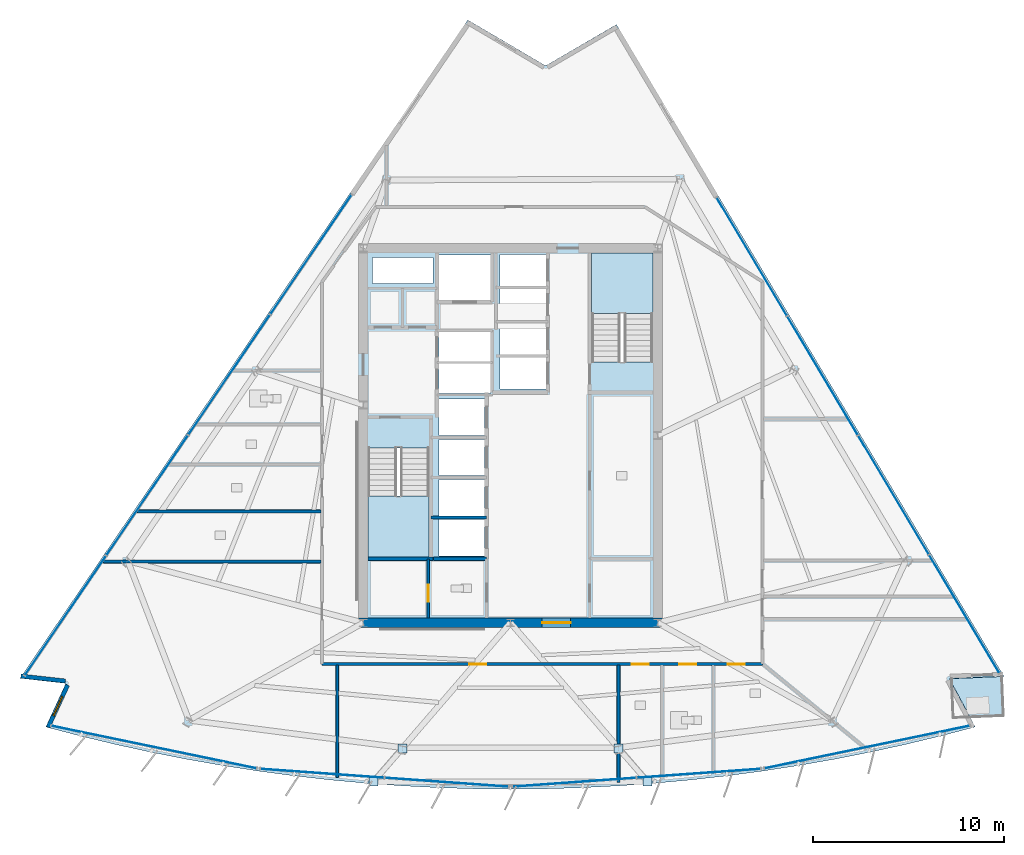
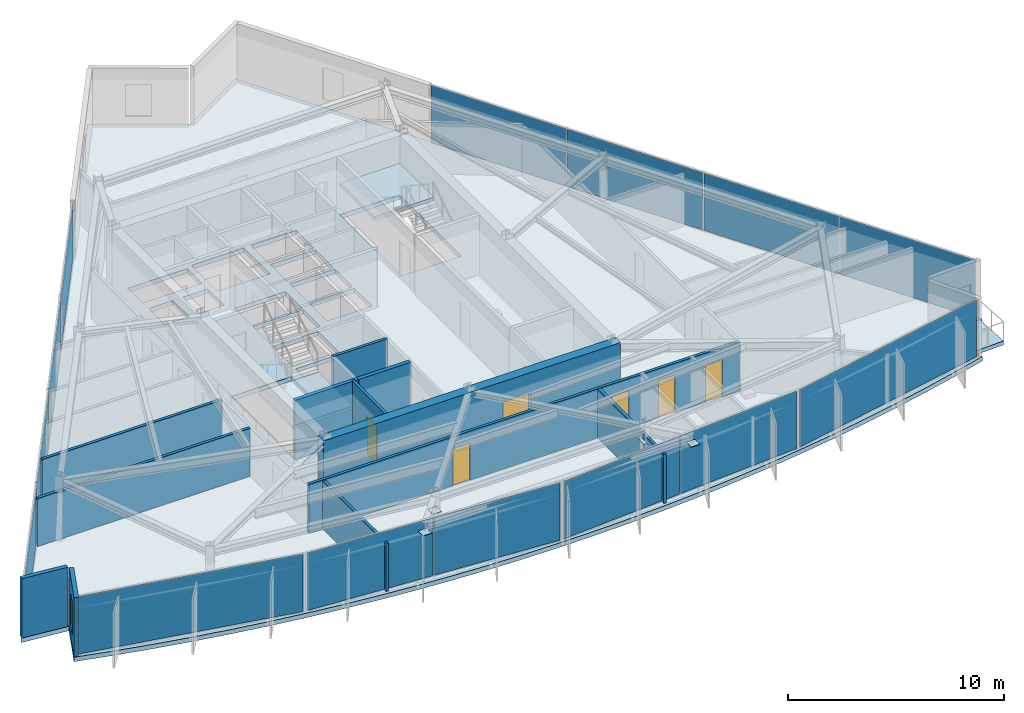
# One storey, part 7 of 15: 18 plates, 12 walls, 6 doors, 4 slabs, 1 window, 7 openings, 8 elements without a shape of their own.
"""IFC4 building model written with IfcOpenShell, lengths in metres."""

from ifc_helpers import new_model, si_unit, direction, frame, frame_2d, origin, origin_2d, place, context, subcontext, project, spatial, polyline, rectangle, outline, extrude, material, layer, layer_set, type_object, element, fill, aggregate, save


model = new_model("IFC4")

# Units and contexts
model_context = context("Model", 3, precision=1e-05, world=origin(), true_north=direction((0.0, 1.0)))
body_context = subcontext(model_context, "Body", "Model", "MODEL_VIEW")
ifc_project = project(units=[si_unit("LENGTHUNIT", "METRE"), si_unit("AREAUNIT", "SQUARE_METRE"), si_unit("VOLUMEUNIT", "CUBIC_METRE"), si_unit("PLANEANGLEUNIT", "RADIAN"), si_unit("MASSUNIT", "GRAM", prefix="KILO")], contexts=[model_context])

# Site, building, storey
site_placement = place(None, origin())
site = spatial("IfcSite", under=ifc_project, at=site_placement, CompositionType="ELEMENT")
building_placement = place(site_placement, origin())
building = spatial("IfcBuilding", under=site, at=building_placement, Name="Savorim Split Tower", CompositionType="ELEMENT")
storey_placement = place(building_placement, frame((0.0, 0.0, 201.89990234375)))
storey = spatial("IfcBuildingStorey", under=building, at=storey_placement, Name="L53", CompositionType="ELEMENT", Elevation=201.89990234375)

# Curtain wall, plate
ifc_material_1 = material(Name="Dark Ceramic-Fritted Insulated Glass", Category="glass")
curtain_wall_type = type_object("IfcCurtainWallType", Name="CW-TWR-FRIT-B", PredefinedType="NOTDEFINED", material=ifc_material_1)
curtain_wall_1_placement = place(storey_placement, origin())
curtain_wall_1 = element("IfcCurtainWall", 1, at=curtain_wall_1_placement, inside=storey, type_object=curtain_wall_type, Name="L53 Curtain Wall CW-L53-SF1", PredefinedType="NOTDEFINED")
ifc_layer_1 = layer(ifc_material_1, 0.02587890625)
ifc_layer_set_1 = layer_set([ifc_layer_1], Name="CWP-FRITB-26")
plate_type_1 = type_object("IfcPlateType", Name="CWP-FRITB-26", PredefinedType="CURTAIN_PANEL", material=ifc_layer_set_1)
plate_1_placement = place(storey_placement, frame((-18.65283203125, -15.901123046875, 0.050048828125), z_axis=(0.0, 0.0, 1.0), x_axis=(0.979135601511, -0.203207957161, 0.0)))
plate_1 = element("IfcPlate", 2, at=plate_1_placement, type_object=plate_type_1, Name="CW-03 panel 1.1", PredefinedType="CURTAIN_PANEL", context=body_context, shape_type="SweptSolid", body=[
    extrude(rectangle(XDim=10.946533203125, YDim=0.02587890625, at=origin_2d()), origin(), (0.0, 0.0, 1.0), 3.25),
])
aggregate(curtain_wall_1, [plate_1])

# Curtain wall, plates
curtain_wall_2_placement = place(storey_placement, origin())
curtain_wall_2 = element("IfcCurtainWall", 3, at=curtain_wall_2_placement, inside=storey, type_object=curtain_wall_type, Name="L53 Curtain Wall CW-L53-SF2", PredefinedType="NOTDEFINED")
plate_2_placement = place(storey_placement, frame((-9.846923828125, -17.275634765625, 0.050048828125), z_axis=(0.0, 0.0, 1.0), x_axis=(0.997436161804, -0.071561883187, 0.0)))
plate_2 = element("IfcPlate", 4, at=plate_2_placement, type_object=plate_type_1, Name="CW-03 panel 1.1", PredefinedType="CURTAIN_PANEL", context=body_context, shape_type="SweptSolid", body=[
    extrude(rectangle(XDim=6.46728515625, YDim=0.02587890625, at=origin_2d()), origin(), (0.0, 0.0, 1.0), 3.25),
])
plate_3_placement = place(storey_placement, frame((-3.33642578125, -17.74267578125, 0.050048828125), z_axis=(0.0, 0.0, 1.0), x_axis=(0.997436161804, -0.071561883187, 0.0)))
plate_3 = element("IfcPlate", 5, at=plate_3_placement, type_object=plate_type_1, Name="CW-03 panel 2.1", PredefinedType="CURTAIN_PANEL", context=body_context, shape_type="SweptSolid", body=[
    extrude(rectangle(XDim=6.46728515625, YDim=0.02587890625, at=origin_2d()), origin(), (0.0, 0.0, 1.0), 3.25),
])
aggregate(curtain_wall_2, [plate_2, plate_3])

curtain_wall_3_placement = place(storey_placement, origin())
curtain_wall_3 = element("IfcCurtainWall", 6, at=curtain_wall_3_placement, inside=storey, type_object=curtain_wall_type, Name="L53 Curtain Wall CW-L53-SF3", PredefinedType="NOTDEFINED")
plate_4_placement = place(storey_placement, frame((3.33642578125, -17.74267578125, 0.050048828125), z_axis=(0.0, 0.0, 1.0), x_axis=(0.997436161804, 0.071561883187, 0.0)))
plate_4 = element("IfcPlate", 7, at=plate_4_placement, type_object=plate_type_1, Name="CW-03 panel 1.1", PredefinedType="CURTAIN_PANEL", context=body_context, shape_type="SweptSolid", body=[
    extrude(rectangle(XDim=6.46728515625, YDim=0.02587890625, at=origin_2d()), origin(), (0.0, 0.0, 1.0), 3.25),
])
plate_5_placement = place(storey_placement, frame((9.846923828125, -17.275634765625, 0.050048828125), z_axis=(0.0, 0.0, 1.0), x_axis=(0.997436161804, 0.071561883187, 0.0)))
plate_5 = element("IfcPlate", 8, at=plate_5_placement, type_object=plate_type_1, Name="CW-03 panel 2.1", PredefinedType="CURTAIN_PANEL", context=body_context, shape_type="SweptSolid", body=[
    extrude(rectangle(XDim=6.46728515625, YDim=0.02587890625, at=origin_2d()), origin(), (0.0, 0.0, 1.0), 3.25),
])
aggregate(curtain_wall_3, [plate_4, plate_5])

# Curtain wall, plate
curtain_wall_4_placement = place(storey_placement, origin())
curtain_wall_4 = element("IfcCurtainWall", 9, at=curtain_wall_4_placement, inside=storey, type_object=curtain_wall_type, Name="L53 Curtain Wall CW-L53-SF4", PredefinedType="NOTDEFINED")
plate_6_placement = place(storey_placement, frame((18.65283203125, -15.901123046875, 0.050048828125), z_axis=(0.0, 0.0, 1.0), x_axis=(0.979135601511, 0.203207957161, 0.0)))
plate_6 = element("IfcPlate", 10, at=plate_6_placement, type_object=plate_type_1, Name="CW-03 panel 1.1", PredefinedType="CURTAIN_PANEL", context=body_context, shape_type="SweptSolid", body=[
    extrude(rectangle(XDim=10.946533203125, YDim=0.02587890625, at=origin_2d()), origin(), (0.0, 0.0, 1.0), 3.25),
])
aggregate(curtain_wall_4, [plate_6])

# Curtain wall, plates
curtain_wall_5_placement = place(storey_placement, origin())
curtain_wall_5 = element("IfcCurtainWall", 11, at=curtain_wall_5_placement, inside=storey, type_object=curtain_wall_type, Name="L53 Curtain Wall CW-L53-EAST", PredefinedType="NOTDEFINED")
plate_7_placement = place(storey_placement, frame((23.739013671875, -8.941162109375, 0.050048828125), z_axis=(0.0, 0.0, 1.0), x_axis=(-0.511092175308, 0.859525909056, 0.0)))
plate_7 = element("IfcPlate", 12, at=plate_7_placement, type_object=plate_type_1, Name="CW-03 panel 1.1", PredefinedType="CURTAIN_PANEL", context=body_context, shape_type="SweptSolid", body=[
    extrude(rectangle(XDim=7.167724609375, YDim=0.02587890625, at=origin_2d()), origin(), (0.0, 0.0, 1.0), 3.25),
])
plate_8_placement = place(storey_placement, frame((20.037353515625, -2.7158203125, 0.050048828125), z_axis=(0.0, 0.0, 1.0), x_axis=(-0.511092175308, 0.859525909056, 0.0)))
plate_8 = element("IfcPlate", 13, at=plate_8_placement, type_object=plate_type_1, Name="CW-03 panel 2.1", PredefinedType="CURTAIN_PANEL", context=body_context, shape_type="SweptSolid", body=[
    extrude(rectangle(XDim=7.19775390625, YDim=0.02587890625, at=origin_2d()), origin(), (0.0, 0.0, 1.0), 3.25),
])
plate_9_placement = place(storey_placement, frame((16.328125, 3.522216796875, 0.050048828125), z_axis=(0.0, 0.0, 1.0), x_axis=(-0.511092175308, 0.859525909056, 0.0)))
plate_9 = element("IfcPlate", 14, at=plate_9_placement, type_object=plate_type_1, Name="CW-03 panel 3.1", PredefinedType="CURTAIN_PANEL", context=body_context, shape_type="SweptSolid", body=[
    extrude(rectangle(XDim=7.19775390625, YDim=0.02587890625, at=origin_2d()), origin(), (0.0, 0.0, 1.0), 3.25),
])
plate_10_placement = place(storey_placement, frame((12.626220703125, 9.74755859375, 0.050048828125), z_axis=(0.0, 0.0, 1.0), x_axis=(-0.511092175308, 0.859525909056, 0.0)))
plate_10 = element("IfcPlate", 15, at=plate_10_placement, type_object=plate_type_1, Name="CW-03 panel 4.1", PredefinedType="CURTAIN_PANEL", context=body_context, shape_type="SweptSolid", body=[
    extrude(rectangle(XDim=7.167724609375, YDim=0.02587890625, at=origin_2d()), origin(), (0.0, 0.0, 1.0), 3.25),
])
aggregate(curtain_wall_5, [plate_7, plate_8, plate_9, plate_10])

curtain_wall_6_placement = place(storey_placement, origin())
curtain_wall_6 = element("IfcCurtainWall", 16, at=curtain_wall_6_placement, inside=storey, type_object=curtain_wall_type, Name="L53 Curtain Wall CW-L53-WEST", PredefinedType="NOTDEFINED")
plate_11_placement = place(storey_placement, frame((-10.436279296875, 9.86181640625, 0.050048828125), z_axis=(0.0, 0.0, 1.0), x_axis=(-0.562465276773, -0.826820907104, 0.0)))
plate_11 = element("IfcPlate", 17, at=plate_11_placement, type_object=plate_type_1, Name="CW-03 panel 1.1", PredefinedType="CURTAIN_PANEL", context=body_context, shape_type="SweptSolid", body=[
    extrude(rectangle(XDim=7.533447265625, YDim=0.02587890625, at=origin_2d()), origin(), (0.0, 0.0, 1.0), 3.25),
])
plate_12_placement = place(storey_placement, frame((-14.7158203125, 3.571044921875, 0.050048828125), z_axis=(0.0, 0.0, 1.0), x_axis=(-0.562465276773, -0.826820907104, 0.0)))
plate_12 = element("IfcPlate", 18, at=plate_12_placement, type_object=plate_type_1, Name="CW-03 panel 2.1", PredefinedType="CURTAIN_PANEL", context=body_context, shape_type="SweptSolid", body=[
    extrude(rectangle(XDim=7.5634765625, YDim=0.02587890625, at=origin_2d()), origin(), (0.0, 0.0, 1.0), 3.25),
])
plate_13_placement = place(storey_placement, frame((-19.003662109375, -2.732421875, 0.050048828125), z_axis=(0.0, 0.0, 1.0), x_axis=(-0.562465276773, -0.826820907104, 0.0)))
plate_13 = element("IfcPlate", 19, at=plate_13_placement, type_object=plate_type_1, Name="CW-03 panel 3.1", PredefinedType="CURTAIN_PANEL", context=body_context, shape_type="SweptSolid", body=[
    extrude(rectangle(XDim=7.5634765625, YDim=0.02587890625, at=origin_2d()), origin(), (0.0, 0.0, 1.0), 3.25),
])
plate_14_placement = place(storey_placement, frame((-23.283203125, -9.023193359375, 0.050048828125), z_axis=(0.0, 0.0, 1.0), x_axis=(-0.562465276773, -0.826820907104, 0.0)))
plate_14 = element("IfcPlate", 20, at=plate_14_placement, type_object=plate_type_1, Name="CW-03 panel 4.1", PredefinedType="CURTAIN_PANEL", context=body_context, shape_type="SweptSolid", body=[
    extrude(rectangle(XDim=7.533447265625, YDim=0.02587890625, at=origin_2d()), origin(), (0.0, 0.0, 1.0), 3.25),
])
aggregate(curtain_wall_6, [plate_11, plate_12, plate_13, plate_14])

# Plates
ifc_material_2 = material(Name="Steel S460", Category="steel")
ifc_layer_2 = layer(ifc_material_2, 0.02490234375)
ifc_layer_set_2 = layer_set([ifc_layer_2], Name="PLT-NODE-CN1")
plate_type_2 = type_object("IfcPlateType", Name="PLT-NODE-CN1", PredefinedType="SHEET", material=ifc_layer_set_2)
for number, where, z_axis, x_axis, name in (
    (21, (-5.645263671875, -15.9755859375, 2.437744140625), (0.0, 0.0, 1.0), (1.0, 0.0, 0.0), "L53 Bay Strut Column Gusset Plate 1"),
    (22, (-7.17236328125, -17.714599609375, 2.8076171875), (0.0, 0.0, 1.0), (1.0, 0.0, 0.0), "L53 Bay Strut Tip Gusset Plate 1"),
    (23, (5.645263671875, -15.9755859375, 2.437744140625), (0.0, 0.0, 1.0), (1.0, 0.0, 0.0), "L53 Bay Strut Column Gusset Plate 2"),
    (24, (7.17236328125, -17.714599609375, 2.8076171875), (0.0, 0.0, 1.0), (1.0, 0.0, 0.0), "L53 Bay Strut Tip Gusset Plate 2"),
):
    element("IfcPlate", number, at=place(storey_placement, frame(where, z_axis=z_axis, x_axis=x_axis)), inside=storey, type_object=plate_type_2, Name=name, PredefinedType="SHEET", context=body_context, shape_type="SweptSolid", body=[
        extrude(rectangle(XDim=0.4599609375, YDim=0.4599609375, at=origin_2d()), origin(), (0.0, 0.0, 1.0), 0.02490234375),
    ])

# Slab
ifc_material_3 = material(Name="Concrete C50/60", Category="concrete")
ifc_layer_3 = layer(ifc_material_3, 0.219970703125)
ifc_layer_set_3 = layer_set([ifc_layer_3], Name="SLB-BAL-220")
slab_type_1 = type_object("IfcSlabType", Name="SLB-BAL-220", PredefinedType="FLOOR", material=ifc_layer_set_3)
slab_1_placement = place(storey_placement, frame((0.0, 0.0, -0.219970703125)))
element("IfcSlab", 25, at=slab_1_placement, inside=storey, type_object=slab_type_1, Name="L53 Notched Corner Planted Tree Balcony Slab", PredefinedType="FLOOR", context=body_context, shape_type="SweptSolid", body=[
    extrude(outline(polyline([(25.697265625, -12.2109375), (23.07470703125, -12.322509765625), (23.08447265625, -12.55419921875), (24.036376953125, -14.32861328125), (25.7841796875, -14.254150390625), (25.697265625, -12.2109375)])), origin(), (0.0, 0.0, 1.0), 0.219970703125),
])

# Stair, slab
stair_type = type_object("IfcStairType", Name="STR-DOG-3600", PredefinedType="HALF_TURN_STAIR", material=ifc_material_3)
stair_1_placement = place(storey_placement, origin())
stair_1 = element("IfcStair", 26, at=stair_1_placement, inside=storey, type_object=stair_type, Name="L53 Core Protected Exit Stair ST-1", PredefinedType="HALF_TURN_STAIR")
ifc_layer_4 = layer(ifc_material_3, 0.199951171875)
ifc_layer_set_4 = layer_set([ifc_layer_4], Name="SLB-LND-200")
slab_type_2 = type_object("IfcSlabType", Name="SLB-LND-200", PredefinedType="LANDING", material=ifc_layer_set_4)
slab_2_placement = place(storey_placement, frame((0.0, 0.0, 1.60009765625)))
slab_2 = element("IfcSlab", 27, at=slab_2_placement, type_object=slab_type_2, Name="ST-1 landing 1", PredefinedType="LANDING", context=body_context, shape_type="SweptSolid", body=[
    extrude(outline(polyline([(-7.449951171875, -2.77001953125), (-7.449951171875, -5.949951171875), (-4.25, -5.949951171875), (-4.25, -2.77001953125), (-7.449951171875, -2.77001953125)])), origin(), (0.0, 0.0, 1.0), 0.199951171875),
])
aggregate(stair_1, [slab_2])

stair_2_placement = place(storey_placement, origin())
stair_2 = element("IfcStair", 28, at=stair_2_placement, inside=storey, type_object=stair_type, Name="L53 Core Protected Exit Stair ST-2", PredefinedType="HALF_TURN_STAIR")
slab_3_placement = place(storey_placement, frame((0.0, 0.0, 1.60009765625)))
slab_3 = element("IfcSlab", 29, at=slab_3_placement, type_object=slab_type_2, Name="ST-2 landing 1", PredefinedType="LANDING", context=body_context, shape_type="SweptSolid", body=[
    extrude(outline(polyline([(7.449951171875, 6.77001953125), (7.449951171875, 9.949951171875), (4.25, 9.949951171875), (4.25, 6.77001953125), (7.449951171875, 6.77001953125)])), origin(), (0.0, 0.0, 1.0), 0.199951171875),
])
aggregate(stair_2, [slab_3])

# Slab
ifc_layer_5 = layer(ifc_material_3, 0.25)
ifc_layer_set_5 = layer_set([ifc_layer_5], Name="SLB-TWR-250")
slab_type_3 = type_object("IfcSlabType", Name="SLB-TWR-250", PredefinedType="FLOOR", material=ifc_layer_set_5)
slab_4_placement = place(storey_placement, frame((0.0, 0.0, -0.25)))
element("IfcSlab", 30, at=slab_4_placement, inside=storey, type_object=slab_type_3, Name="L53 Structural Floor Slab", PredefinedType="FLOOR", context=body_context, shape_type="SweptSolid", body=[
    extrude(outline(polyline([(-24.310302734375, -14.849609375), (-22.479736328125, -15.328369140625), (-20.6396484375, -15.76953125), (-18.791015625, -16.173095703125), (-16.934326171875, -16.53857421875), (-15.070556640625, -16.865966796875), (-13.20068359375, -17.1552734375), (-11.3251953125, -17.40625), (-9.44482421875, -17.618896484375), (-7.560546875, -17.792724609375), (-5.673095703125, -17.92822265625), (-3.783447265625, -18.02490234375), (-1.89208984375, -18.0830078125), (0.0, -18.102294921875), (1.89208984375, -18.0830078125), (3.783447265625, -18.02490234375), (5.673095703125, -17.92822265625), (7.560546875, -17.792724609375), (9.44482421875, -17.618896484375), (11.3251953125, -17.40625), (13.20068359375, -17.1552734375), (15.070556640625, -16.865966796875), (16.934326171875, -16.53857421875), (18.791015625, -16.173095703125), (20.6396484375, -15.76953125), (22.479736328125, -15.328369140625), (24.310302734375, -14.849609375), (22.95458984375, -12.32275390625), (25.81689453125, -12.200927734375), (5.54150390625, 21.897216796875), (1.84033203125, 19.739990234375), (-2.23291015625, 22.134033203125), (-25.65869140625, -12.3017578125), (-23.2626953125, -12.569091796875), (-24.310302734375, -14.849609375)]), holes=[polyline([(-7.449951171875, -0.25390625), (-7.449951171875, -5.949951171875), (-4.25, -5.949951171875), (-4.25, -0.25390625), (-7.449951171875, -0.25390625)]), polyline([(7.449951171875, 4.25390625), (7.449951171875, 9.949951171875), (4.25, 9.949951171875), (4.25, 4.25390625), (7.449951171875, 4.25390625)]), polyline([(-3.75, -5.89990234375), (-1.35009765625, -5.89990234375), (-1.35009765625, -4.0), (-3.75, -4.0), (-3.75, -5.89990234375)]), polyline([(-3.75, -3.800048828125), (-1.35009765625, -3.800048828125), (-1.35009765625, -1.89990234375), (-3.75, -1.89990234375), (-3.75, -3.800048828125)]), polyline([(-3.75, -1.699951171875), (-1.35009765625, -1.699951171875), (-1.35009765625, 0.199951171875), (-3.75, 0.199951171875), (-3.75, -1.699951171875)]), polyline([(-3.75, 0.39990234375), (-1.35009765625, 0.39990234375), (-1.35009765625, 2.300048828125), (-3.75, 2.300048828125), (-3.75, 0.39990234375)]), polyline([(-0.550048828125, 2.830078125), (1.85009765625, 2.830078125), (1.85009765625, 4.469970703125), (-0.550048828125, 4.469970703125), (-0.550048828125, 2.830078125)]), polyline([(-0.550048828125, 4.6298828125), (1.85009765625, 4.6298828125), (1.85009765625, 6.27001953125), (-0.550048828125, 6.27001953125), (-0.550048828125, 4.6298828125)]), polyline([(-0.550048828125, 6.429931640625), (1.85009765625, 6.429931640625), (1.85009765625, 8.070068359375), (-0.550048828125, 8.070068359375), (-0.550048828125, 6.429931640625)]), polyline([(-0.550048828125, 8.22998046875), (1.85009765625, 8.22998046875), (1.85009765625, 9.8701171875), (-0.550048828125, 9.8701171875), (-0.550048828125, 8.22998046875)]), polyline([(-3.75, 2.60009765625), (-1.050048828125, 2.60009765625), (-1.050048828125, 4.159912109375), (-3.75, 4.159912109375), (-3.75, 2.60009765625)]), polyline([(-3.75, 4.280029296875), (-1.050048828125, 4.280029296875), (-1.050048828125, 5.840087890625), (-3.75, 5.840087890625), (-3.75, 4.280029296875)]), polyline([(-3.75, 7.449951171875), (-0.949951171875, 7.449951171875), (-0.949951171875, 9.85009765625), (-3.75, 9.85009765625), (-3.75, 7.449951171875)]), polyline([(-7.219970703125, 6.320068359375), (-5.919921875, 6.320068359375), (-5.919921875, 7.820068359375), (-7.219970703125, 7.820068359375), (-7.219970703125, 6.320068359375)]), polyline([(-5.3798828125, 6.320068359375), (-4.050048828125, 6.320068359375), (-4.050048828125, 7.820068359375), (-5.3798828125, 7.820068359375), (-5.3798828125, 6.320068359375)]), polyline([(-7.219970703125, 8.360107421875), (-4.050048828125, 8.360107421875), (-4.050048828125, 9.719970703125), (-7.219970703125, 9.719970703125), (-7.219970703125, 8.360107421875)])]), origin(), (0.0, 0.0, 1.0), 0.25),
])

# Wall, opening, door
ifc_material_4 = material(Name="Concrete C60/75", Category="concrete")
ifc_layer_6 = layer(ifc_material_4, 0.5)
ifc_layer_set_6 = layer_set([ifc_layer_6], Name="WAL-COR-SH500")
wall_type_1 = type_object("IfcWallType", Name="WAL-COR-SH500", PredefinedType="SHEAR", material=ifc_layer_set_6)
wall_1_placement = place(storey_placement, frame((-7.949951171875, -9.39990234375, 0.0), z_axis=(0.0, 0.0, 1.0), x_axis=(1.0, 0.0, 0.0)))
wall_1 = element("IfcWall", 31, at=wall_1_placement, inside=storey, type_object=wall_type_1, Name="L53 Offset Core South Shear Wall", PredefinedType="SHEAR", context=body_context, shape_type="SweptSolid", body=[
    extrude(rectangle(XDim=15.89990234375, YDim=0.5, at=frame_2d((7.949951171875, 0.0))), origin(), (0.0, 0.0, 1.0), 3.35009765625),
])
opening_1_placement = place(wall_1_placement, frame((9.60009765625, 0.0, 0.0)))
opening_1 = element("IfcOpeningElement", 32, at=opening_1_placement, cuts=wall_1, Name="Opening DI-02", PredefinedType="OPENING", context=body_context, shape_type="SweptSolid", body=[
    extrude(rectangle(XDim=1.5, YDim=2.199951171875, at=frame_2d((0.75, 1.10009765625))), frame((0.0, 0.260009765625, 0.0), z_axis=(0.0, -1.0, 0.0), x_axis=(1.0, 0.0, 0.0)), (0.0, 0.0, 1.0), 0.52001953125),
])
ifc_material_5 = material(Name="Timber Fire Door Leaf", Category="wood")
door_type_1 = type_object("IfcDoorType", Name="DOR-DBL-1500", OperationType="NOTDEFINED", PredefinedType="DOOR", material=ifc_material_5)
door_1_placement = place(opening_1_placement, origin())
door_1 = element("IfcDoor", 33, at=door_1_placement, inside=storey, type_object=door_type_1, Name="DOR-L53-COR-LLOB - L53 Lift Lobby Main Rated Door", OperationType="DOUBLE_DOOR_SINGLE_SWING", OverallHeight=2.199951171875, OverallWidth=1.5, PredefinedType="DOOR", context=body_context, shape_type="SweptSolid", body=[
    extrude(rectangle(XDim=1.5, YDim=2.199951171875, at=frame_2d((0.75, 1.10009765625))), frame((0.0, 0.02490234375, 0.0), z_axis=(0.0, -1.0, 0.0), x_axis=(1.0, 0.0, 0.0)), (0.0, 0.0, 1.0), 0.050048828125),
])
fill(opening_1, door_1)

# Wall
ifc_material_6 = material(Name="Precast concrete C40/50", Category="concrete")
ifc_layer_7 = layer(ifc_material_6, 0.219970703125)
ifc_layer_set_7 = layer_set([ifc_layer_7], Name="WAL-EXT-CRN220")
wall_type_2 = type_object("IfcWallType", Name="WAL-EXT-CRN220", PredefinedType="SOLIDWALL", material=ifc_layer_set_7)
wall_2_placement = place(storey_placement, frame((-23.2890625, -12.445556640625, 0.0), z_axis=(0.0, 0.0, 1.0), x_axis=(-0.993829972675, 0.110914315635, 0.0)))
element("IfcWall", 34, at=wall_2_placement, inside=storey, type_object=wall_type_2, Name="L53 Notched Corner Facade Wall SW1", PredefinedType="SOLIDWALL", context=body_context, shape_type="SweptSolid", body=[
    extrude(rectangle(XDim=2.3310546875, YDim=0.219970703125, at=frame_2d((1.16552734375, 0.0))), origin(), (0.0, 0.0, 1.0), 3.35009765625),
])

# Wall, opening, window
wall_3_placement = place(storey_placement, frame((-24.184814453125, -14.86328125, 0.0), z_axis=(0.0, 0.0, 1.0), x_axis=(0.417509141111, 0.90867272276, 0.0)))
wall_3 = element("IfcWall", 35, at=wall_3_placement, inside=storey, type_object=wall_type_2, Name="L53 Notched Corner Facade Wall SW", PredefinedType="SOLIDWALL", context=body_context, shape_type="SweptSolid", body=[
    extrude(rectangle(XDim=2.4296875, YDim=0.219970703125, at=frame_2d((1.21484375, 0.0))), origin(), (0.0, 0.0, 1.0), 3.35009765625),
])
opening_2_placement = place(wall_3_placement, frame((0.664794921875, 0.0, 0.6201171875)))
opening_2 = element("IfcOpeningElement", 36, at=opening_2_placement, cuts=wall_3, Name="Opening WN-09", PredefinedType="OPENING", context=body_context, shape_type="SweptSolid", body=[
    extrude(rectangle(XDim=1.10009765625, YDim=1.800048828125, at=frame_2d((0.550048828125, 0.89990234375))), frame((0.0, 0.119873046875, 0.0), z_axis=(0.0, -1.0, 0.0), x_axis=(1.0, 0.0, 0.0)), (0.0, 0.0, 1.0), 0.239990234375),
])
ifc_material_7 = material(Name="Low-E Operable Double Glazing", Category="glass")
window_type = type_object("IfcWindowType", Name="WIN-TWR-1100x1800", PartitioningType="SINGLE_PANEL", PredefinedType="WINDOW", material=ifc_material_7)
window_placement = place(opening_2_placement, origin())
window = element("IfcWindow", 37, at=window_placement, inside=storey, type_object=window_type, Name="L53 Operable Corner Window SW", OverallHeight=1.800048828125, OverallWidth=1.10009765625, PartitioningType="SINGLE_PANEL", PredefinedType="WINDOW", context=body_context, shape_type="SweptSolid", body=[
    extrude(rectangle(XDim=1.10009765625, YDim=1.800048828125, at=frame_2d((0.550048828125, 0.89990234375))), frame((0.0, 0.030029296875, 0.0), z_axis=(0.0, -1.0, 0.0), x_axis=(1.0, 0.0, 0.0)), (0.0, 0.0, 1.0), 0.06005859375),
])
fill(opening_2, window)

# Walls
ifc_layer_8 = layer(ifc_material_3, 0.199951171875)
ifc_layer_set_8 = layer_set([ifc_layer_8], Name="WAL-INT-RC200")
wall_type_3 = type_object("IfcWallType", Name="WAL-INT-RC200", PredefinedType="SOLIDWALL", material=ifc_layer_set_8)
wall_4_placement = place(storey_placement, frame((-7.449951171875, -6.050048828125, 0.0), z_axis=(0.0, 0.0, 1.0), x_axis=(1.0, 0.0, 0.0)))
element("IfcWall", 38, at=wall_4_placement, inside=storey, type_object=wall_type_3, Name="L53 Structural Shaft Wall W-L53-KSEP-W", PredefinedType="SOLIDWALL", context=body_context, shape_type="SweptSolid", body=[
    extrude(rectangle(XDim=3.39990234375, YDim=0.199951171875, at=frame_2d((1.699951171875, 0.0))), origin(), (0.0, 0.0, 1.0), 3.35009765625),
])
wall_5_placement = place(storey_placement, frame((-4.0400390625, -6.050048828125, 0.0), z_axis=(0.0, 0.0, 1.0), x_axis=(1.0, 0.0, 0.0)))
element("IfcWall", 39, at=wall_5_placement, inside=storey, type_object=wall_type_3, Name="L53 Partition W-L53-KSEP-W2", PredefinedType="SOLIDWALL", context=body_context, shape_type="SweptSolid", body=[
    extrude(rectangle(XDim=2.7900390625, YDim=0.199951171875, at=frame_2d((1.39501953125, 0.0))), origin(), (0.0, 0.0, 1.0), 3.35009765625),
])
ifc_material_8 = material(Name="Acoustic Gypsum Partition Board")
ifc_layer_9 = layer(ifc_material_8, 0.14990234375)
ifc_layer_set_9 = layer_set([ifc_layer_9], Name="WAL-PAR-150")
wall_type_4 = type_object("IfcWallType", Name="WAL-PAR-150", PredefinedType="PARTITIONING", material=ifc_layer_set_9)
wall_6_placement = place(storey_placement, frame((-4.14990234375, -3.89990234375, 0.0), z_axis=(0.0, 0.0, 1.0), x_axis=(1.0, 0.0, 0.0)))
element("IfcWall", 40, at=wall_6_placement, inside=storey, type_object=wall_type_4, Name="L53 Partition W-L53-B2DIV1", PredefinedType="PARTITIONING", context=body_context, shape_type="SweptSolid", body=[
    extrude(rectangle(XDim=2.89990234375, YDim=0.14990234375, at=frame_2d((1.449951171875, 0.0))), origin(), (0.0, 0.0, 1.0), 3.35009765625),
])

# Wall, opening, door
wall_7_placement = place(storey_placement, frame((-4.300048828125, -9.14501953125, 0.0), z_axis=(0.0, 0.0, 1.0), x_axis=(0.0, 1.0, 0.0)))
wall_7 = element("IfcWall", 41, at=wall_7_placement, inside=storey, type_object=wall_type_4, Name="L53 Partition W-L53-K1W", PredefinedType="PARTITIONING", context=body_context, shape_type="SweptSolid", body=[
    extrude(rectangle(XDim=3.094970703125, YDim=0.14990234375, at=frame_2d((1.54736328125, 0.0))), origin(), (0.0, 0.0, 1.0), 3.35009765625),
])
opening_3_placement = place(wall_7_placement, frame((0.844970703125, 0.0, 0.0)))
opening_3 = element("IfcOpeningElement", 42, at=opening_3_placement, cuts=wall_7, Name="Opening DI-06", PredefinedType="OPENING", context=body_context, shape_type="SweptSolid", body=[
    extrude(rectangle(XDim=0.89990234375, YDim=2.10009765625, at=frame_2d((0.449951171875, 1.050048828125))), frame((0.0, 0.0849609375, 0.0), z_axis=(0.0, -1.0, 0.0), x_axis=(1.0, 0.0, 0.0)), (0.0, 0.0, 1.0), 0.169921875),
])
door_type_2 = type_object("IfcDoorType", Name="DOR-FIR-900", OperationType="NOTDEFINED", PredefinedType="DOOR", material=ifc_material_5)
door_2_placement = place(opening_3_placement, origin())
door_2 = element("IfcDoor", 43, at=door_2_placement, inside=storey, type_object=door_type_2, Name="DR-L53-K1HK - L53 Housekeeping Store Door", OperationType="SINGLE_SWING_RIGHT", OverallHeight=2.10009765625, OverallWidth=0.89990234375, PredefinedType="DOOR", context=body_context, shape_type="SweptSolid", body=[
    extrude(rectangle(XDim=0.89990234375, YDim=2.10009765625, at=frame_2d((0.449951171875, 1.050048828125))), frame((0.0, 0.02490234375, 0.0), z_axis=(0.0, -1.0, 0.0), x_axis=(1.0, 0.0, 0.0)), (0.0, 0.0, 1.0), 0.050048828125),
])
fill(opening_3, door_2)

# Wall, openings, doors
wall_8_placement = place(storey_placement, frame((13.179931640625, -11.56005859375, 0.0), z_axis=(0.0, 0.0, 1.0), x_axis=(-1.0, 0.0, 0.0)))
wall_8 = element("IfcWall", 44, at=wall_8_placement, inside=storey, type_object=wall_type_4, Name="L53 Partition W-L53-COR-06", PredefinedType="PARTITIONING", context=body_context, shape_type="SweptSolid", body=[
    extrude(rectangle(XDim=23.0400390625, YDim=0.14990234375, at=frame_2d((11.52001953125, 0.0))), origin(), (0.0, 0.0, 1.0), 2.775146484375),
])
opening_4_placement = place(wall_8_placement, frame((14.436279296875, 0.0, 0.0)))
opening_4 = element("IfcOpeningElement", 45, at=opening_4_placement, cuts=wall_8, Name="Opening DI-06", PredefinedType="OPENING", context=body_context, shape_type="SweptSolid", body=[
    extrude(rectangle(XDim=0.89990234375, YDim=2.10009765625, at=frame_2d((0.449951171875, 1.050048828125))), frame((0.0, 0.0849609375, 0.0), z_axis=(0.0, -1.0, 0.0), x_axis=(1.0, 0.0, 0.0)), (0.0, 0.0, 1.0), 0.169921875),
])
opening_5_placement = place(wall_8_placement, frame((5.93798828125, 0.0, 0.0)))
opening_5 = element("IfcOpeningElement", 46, at=opening_5_placement, cuts=wall_8, Name="Opening DI-06", PredefinedType="OPENING", context=body_context, shape_type="SweptSolid", body=[
    extrude(rectangle(XDim=0.89990234375, YDim=2.10009765625, at=frame_2d((0.449951171875, 1.050048828125))), frame((0.0, 0.0849609375, 0.0), z_axis=(0.0, -1.0, 0.0), x_axis=(1.0, 0.0, 0.0)), (0.0, 0.0, 1.0), 0.169921875),
])
opening_6_placement = place(wall_8_placement, frame((3.45849609375, 0.0, 0.0)))
opening_6 = element("IfcOpeningElement", 47, at=opening_6_placement, cuts=wall_8, Name="Opening DI-11", PredefinedType="OPENING", context=body_context, shape_type="SweptSolid", body=[
    extrude(rectangle(XDim=0.89990234375, YDim=2.10009765625, at=frame_2d((0.449951171875, 1.050048828125))), frame((0.0, 0.0849609375, 0.0), z_axis=(0.0, -1.0, 0.0), x_axis=(1.0, 0.0, 0.0)), (0.0, 0.0, 1.0), 0.169921875),
])
opening_7_placement = place(wall_8_placement, frame((0.9248046875, 0.0, 0.0)))
opening_7 = element("IfcOpeningElement", 48, at=opening_7_placement, cuts=wall_8, Name="Opening DI-06", PredefinedType="OPENING", context=body_context, shape_type="SweptSolid", body=[
    extrude(rectangle(XDim=0.89990234375, YDim=2.10009765625, at=frame_2d((0.449951171875, 1.050048828125))), frame((0.0, 0.0849609375, 0.0), z_axis=(0.0, -1.0, 0.0), x_axis=(1.0, 0.0, 0.0)), (0.0, 0.0, 1.0), 0.169921875),
])
door_3_placement = place(opening_4_placement, origin())
door_3 = element("IfcDoor", 49, at=door_3_placement, inside=storey, type_object=door_type_2, Name="DR-L53-RM05 - L53 Co-Working Commons Entry Door", OperationType="SINGLE_SWING_RIGHT", OverallHeight=2.10009765625, OverallWidth=0.89990234375, PredefinedType="DOOR", context=body_context, shape_type="SweptSolid", body=[
    extrude(rectangle(XDim=0.89990234375, YDim=2.10009765625, at=frame_2d((0.449951171875, 1.050048828125))), frame((0.0, 0.02490234375, 0.0), z_axis=(0.0, -1.0, 0.0), x_axis=(1.0, 0.0, 0.0)), (0.0, 0.0, 1.0), 0.050048828125),
])
fill(opening_4, door_3)
door_4_placement = place(opening_5_placement, origin())
door_4 = element("IfcDoor", 50, at=door_4_placement, inside=storey, type_object=door_type_2, Name="DR-L53-RM06 - L53 Shared Kitchen Entry Door", OperationType="SINGLE_SWING_LEFT", OverallHeight=2.10009765625, OverallWidth=0.89990234375, PredefinedType="DOOR", context=body_context, shape_type="SweptSolid", body=[
    extrude(rectangle(XDim=0.89990234375, YDim=2.10009765625, at=frame_2d((0.449951171875, 1.050048828125))), frame((0.0, 0.02490234375, 0.0), z_axis=(0.0, -1.0, 0.0), x_axis=(1.0, 0.0, 0.0)), (0.0, 0.0, 1.0), 0.050048828125),
])
fill(opening_5, door_4)
door_5_placement = place(opening_7_placement, origin())
door_5 = element("IfcDoor", 51, at=door_5_placement, inside=storey, type_object=door_type_2, Name="DR-L53-RM08 - L53 Shared Kitchen Entry Door", OperationType="SINGLE_SWING_LEFT", OverallHeight=2.10009765625, OverallWidth=0.89990234375, PredefinedType="DOOR", context=body_context, shape_type="SweptSolid", body=[
    extrude(rectangle(XDim=0.89990234375, YDim=2.10009765625, at=frame_2d((0.449951171875, 1.050048828125))), frame((0.0, 0.02490234375, 0.0), z_axis=(0.0, -1.0, 0.0), x_axis=(1.0, 0.0, 0.0)), (0.0, 0.0, 1.0), 0.050048828125),
])
fill(opening_7, door_5)
ifc_material_9 = material(Name="Oak Veneer Acoustic Door")
door_type_3 = type_object("IfcDoorType", Name="DOR-WC-900", OperationType="NOTDEFINED", PredefinedType="DOOR", material=ifc_material_9)
door_6_placement = place(opening_6_placement, origin())
door_6 = element("IfcDoor", 52, at=door_6_placement, inside=storey, type_object=door_type_3, Name="DR-L53-RM07 - L53 Shared Bathroom Entry Door", OperationType="SINGLE_SWING_RIGHT", OverallHeight=2.10009765625, OverallWidth=0.89990234375, PredefinedType="DOOR", context=body_context, shape_type="SweptSolid", body=[
    extrude(rectangle(XDim=0.89990234375, YDim=2.10009765625, at=frame_2d((0.449951171875, 1.050048828125))), frame((0.0, 0.02490234375, 0.0), z_axis=(0.0, -1.0, 0.0), x_axis=(1.0, 0.0, 0.0)), (0.0, 0.0, 1.0), 0.050048828125),
])
fill(opening_6, door_6)

# Walls
wall_9_placement = place(storey_placement, frame((5.649658203125, -11.6201171875, 0.0), z_axis=(0.0, 0.0, 1.0), x_axis=(0.0, -1.0, 0.0)))
element("IfcWall", 53, at=wall_9_placement, inside=storey, type_object=wall_type_4, Name="L53 Partition W-L53-PRAD03", PredefinedType="PARTITIONING", context=body_context, shape_type="SweptSolid", body=[
    extrude(rectangle(XDim=6.13916015625, YDim=0.14990234375, at=frame_2d((3.069580078125, 0.0))), origin(), (0.0, 0.0, 1.0), 2.775146484375),
])
wall_10_placement = place(storey_placement, frame((-9.919921875, -6.19677734375, 0.0), z_axis=(0.0, 0.0, 1.0), x_axis=(-1.0, 0.0, 0.0)))
element("IfcWall", 54, at=wall_10_placement, inside=storey, type_object=wall_type_4, Name="L53 Partition W-L53-PRAD10", PredefinedType="PARTITIONING", context=body_context, shape_type="SweptSolid", body=[
    extrude(rectangle(XDim=11.380126953125, YDim=0.14990234375, at=frame_2d((5.68994140625, 0.0))), origin(), (0.0, 0.0, 1.0), 2.72509765625),
])
wall_11_placement = place(storey_placement, frame((-9.919921875, -3.569580078125, 0.0), z_axis=(0.0, 0.0, 1.0), x_axis=(-1.0, 0.0, 0.0)))
element("IfcWall", 55, at=wall_11_placement, inside=storey, type_object=wall_type_4, Name="L53 Partition W-L53-SUB04", PredefinedType="PARTITIONING", context=body_context, shape_type="SweptSolid", body=[
    extrude(rectangle(XDim=9.593017578125, YDim=0.14990234375, at=frame_2d((4.79638671875, 0.0))), origin(), (0.0, 0.0, 1.0), 2.72509765625),
])
wall_12_placement = place(storey_placement, frame((-9.06201171875, -11.6201171875, 0.0), z_axis=(0.0, 0.0, 1.0), x_axis=(0.0, -1.0, 0.0)))
element("IfcWall", 56, at=wall_12_placement, inside=storey, type_object=wall_type_4, Name="L53 Partition W-L53-SUB05", PredefinedType="PARTITIONING", context=body_context, shape_type="SweptSolid", body=[
    extrude(rectangle(XDim=5.86328125, YDim=0.14990234375, at=frame_2d((2.931640625, 0.0))), origin(), (0.0, 0.0, 1.0), 2.72509765625),
])

save(model, "model.ifc")
